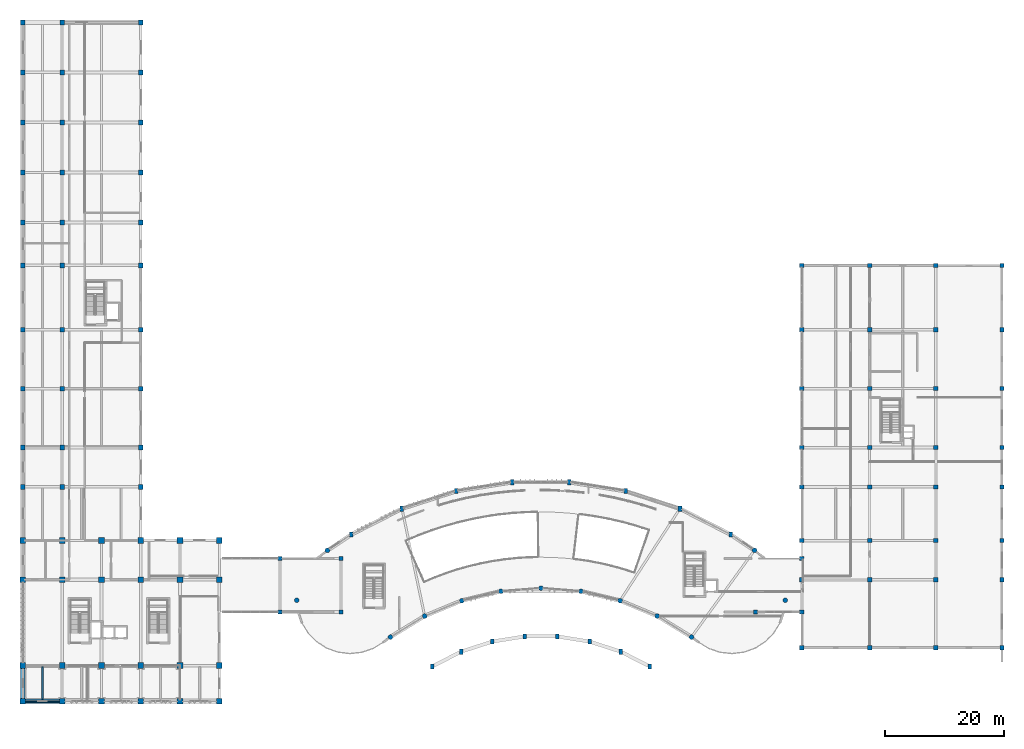
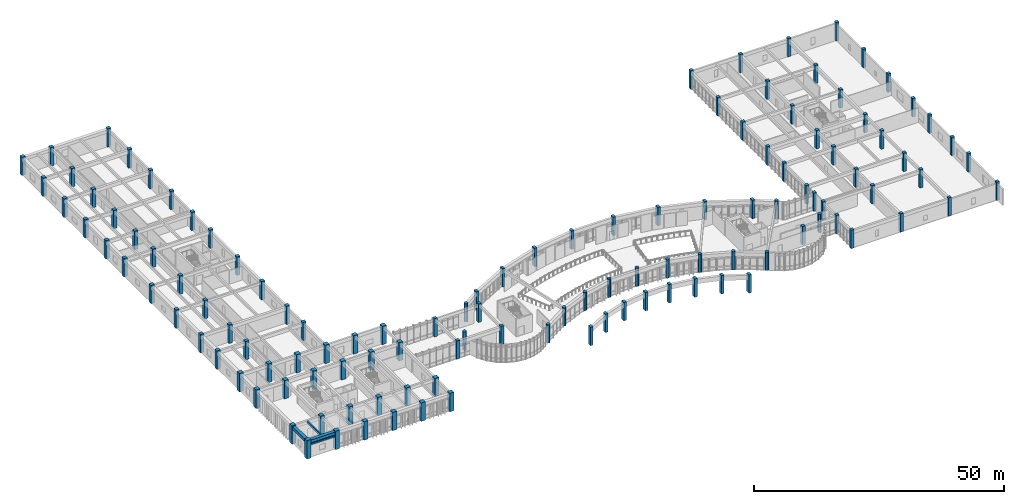
# One storey, part 1 of 57: 122 columns, 4 beams.
"""IFC4 building model written with IfcOpenShell, lengths in metres."""

import ifcopenshell
import ifcopenshell.guid

model = None  # the IFC model being written
_history = None  # IfcOwnerHistory: only IFC2X3 demands one
_inside = {}  # id of a spatial element -> (the spatial element, [elements in it])
_under = {}  # id of a project, library or spatial element -> (it, [spatial elements below it])
_declared = {}  # id of a project -> (the project, [libraries it declares])
_typed = {}  # id of a type object -> (the type object, [elements of that type])
_made_of = {}  # id of a material, layer set ... -> (it, [elements and type objects made of it])


def new_model(schema):
    """Start an empty IFC model of exactly this schema.

    Asked for "IFC4X3", IfcOpenShell would pick the latest addendum, in which some entities
    have other attributes; the version numbers below select the first issue.
    IFC2X3 requires an IfcOwnerHistory on every rooted entity: one is made here for all.
    """
    global model, _history
    if schema == "IFC4X3":
        model = ifcopenshell.file(schema_version=(4, 3, 0, 0))
    else:
        model = ifcopenshell.file(schema=schema)
    _inside.clear()
    _under.clear()
    _declared.clear()
    _typed.clear()
    _made_of.clear()
    _history = None
    if model.schema == "IFC2X3":
        org = make("IfcOrganization", Name="unknown")
        user = make(
            "IfcPersonAndOrganization",
            ThePerson=make("IfcPerson", FamilyName="unknown"),
            TheOrganization=org,
        )
        app = make(
            "IfcApplication",
            ApplicationDeveloper=org,
            Version="unknown",
            ApplicationFullName="unknown",
            ApplicationIdentifier="unknown",
        )
        _history = make(
            "IfcOwnerHistory",
            OwningUser=user,
            OwningApplication=app,
            ChangeAction="ADDED",
            CreationDate=0,
        )
    return model


def make(cls, **values):
    """One entity of the class cls with the attributes given. An attribute that is None is left unset."""
    return model.create_entity(
        cls, **{name: value for name, value in values.items() if value is not None}
    )


def rooted(cls, **values):
    """An entity with a GlobalId (a new one), such as an element, a storey or a relation."""
    return make(cls, GlobalId=ifcopenshell.guid.new(), OwnerHistory=_history, **values)


def si_unit(unit_type, name, prefix=None):
    """IfcSIUnit, for example si_unit("LENGTHUNIT", "METRE", prefix="MILLI")."""
    return make("IfcSIUnit", UnitType=unit_type, Prefix=prefix, Name=name)


def assignment(units):
    """IfcUnitAssignment: the units of a project."""
    return None if units is None else make("IfcUnitAssignment", Units=units)


def point(xyz):
    """IfcCartesianPoint."""
    return None if xyz is None else make("IfcCartesianPoint", Coordinates=xyz)


def direction(xyz):
    """IfcDirection."""
    return None if xyz is None else make("IfcDirection", DirectionRatios=xyz)


def frame(location, z_axis=None, x_axis=None):
    """IfcAxis2Placement3D, a coordinate frame: its origin and axes. An axis left out is left unset."""
    return make(
        "IfcAxis2Placement3D",
        Location=point(location),
        Axis=direction(z_axis),
        RefDirection=direction(x_axis),
    )


def frame_2d(location, x_axis=None):
    """IfcAxis2Placement2D, a coordinate frame in the plane: its origin and x axis."""
    return make(
        "IfcAxis2Placement2D", Location=point(location), RefDirection=direction(x_axis)
    )


def origin():
    """The frame at (0, 0, 0) with its axes left unset."""
    return frame((0.0, 0.0, 0.0))


def origin_2d():
    """The frame at (0, 0) in the plane with its x axis left unset."""
    return frame_2d((0.0, 0.0))


def place(relative_to, where):
    """IfcLocalPlacement: puts the frame where relative to a parent placement (None: the world)."""
    return make(
        "IfcLocalPlacement", PlacementRelTo=relative_to, RelativePlacement=where
    )


def context(
    kind, dimensions, precision=None, world=None, true_north=None, identifier=None
):
    """IfcGeometricRepresentationContext, for example the 3D "Model" context."""
    return make(
        "IfcGeometricRepresentationContext",
        ContextIdentifier=identifier,
        ContextType=kind,
        CoordinateSpaceDimension=dimensions,
        Precision=precision,
        WorldCoordinateSystem=world,
        TrueNorth=true_north,
    )


def subcontext(parent, identifier, kind, view, scale=None):
    """IfcGeometricRepresentationSubContext, for example "Body" below "Model"."""
    return make(
        "IfcGeometricRepresentationSubContext",
        ContextIdentifier=identifier,
        ContextType=kind,
        ParentContext=parent,
        TargetScale=scale,
        TargetView=view,
    )


def project(units=None, contexts=None):
    """IfcProject with its units and contexts."""
    return rooted(
        "IfcProject",
        Name="project",
        RepresentationContexts=contexts,
        UnitsInContext=assignment(units),
    )


def spatial(cls, under=None, at=None, **own):
    """A site, building, storey or space (cls), placed at a placement, below another one or the project."""
    s = rooted(cls, ObjectPlacement=at, **own)
    if under is not None:
        _under.setdefault(under.id(), (under, []))[1].append(s)
    return s


def profile(cls, at=None, kind="AREA", **sizes):
    """A parametric profile (cls). Its sizes go by their IFC names, for example OverallWidth=200.0."""
    return make(cls, ProfileType=kind, Position=at, **sizes)


def rectangle(**sizes):
    """IfcRectangleProfileDef."""
    return profile("IfcRectangleProfileDef", **sizes)


def circle(**sizes):
    """IfcCircleProfileDef."""
    return profile("IfcCircleProfileDef", **sizes)


def extrude(swept, where, along, depth):
    """IfcExtrudedAreaSolid: the profile swept, set in the frame where, extruded along a direction by depth."""
    return make(
        "IfcExtrudedAreaSolid",
        SweptArea=swept,
        Position=where,
        ExtrudedDirection=direction(along),
        Depth=depth,
    )


def shape(context_of_items, identifier, shape_type, items):
    """IfcShapeRepresentation: the items that make up one representation, for example the "Body"."""
    return make(
        "IfcShapeRepresentation",
        ContextOfItems=context_of_items,
        RepresentationIdentifier=identifier,
        RepresentationType=shape_type,
        Items=items,
    )


def material(Name=None, Category=None):
    """IfcMaterial."""
    return make("IfcMaterial", Name=Name, Category=Category)


def material_profile(
    of_material, cross_section, Name=None, Category=None, Priority=None
):
    """IfcMaterialProfile: a cross section and its material."""
    return make(
        "IfcMaterialProfile",
        Name=Name,
        Material=of_material,
        Profile=cross_section,
        Priority=Priority,
        Category=Category,
    )


def profile_set(profiles, Name=None, composite=None):
    """IfcMaterialProfileSet."""
    return make(
        "IfcMaterialProfileSet",
        Name=Name,
        MaterialProfiles=profiles,
        CompositeProfile=composite,
    )


def made_of(thing, what):
    """Note that an element or type object is made of a material, layer set ...; save() writes the relation."""
    if what is not None:
        _made_of.setdefault(what.id(), (what, []))[1].append(thing)
    return thing


def type_object(cls, material=None, **own):
    """A type object (cls), such as IfcWallType, which elements share."""
    return made_of(rooted(cls, **own), material)


def element(
    cls,
    number,
    at=None,
    inside=None,
    cuts=None,
    type_object=None,
    material=None,
    context=None,
    identifier="Body",
    shape_type=None,
    held_by="IfcProductDefinitionShape",
    body=None,
    shapes=None,
    **own,
):
    """One element of the class cls, such as IfcWall. Its Tag is "e" and its number.

    at: its placement. inside: the storey or other place that contains it. cuts: it is an
    opening in that element (IfcRelVoidsElement). A single representation is given by context,
    identifier, shape_type and body (its items); several are given by shapes. held_by: the class
    of the entity that holds the representations. save() writes the other relations.
    """
    e = rooted(cls, Tag="e%d" % number, ObjectPlacement=at, **own)
    if body is not None:
        shapes = [shape(context, identifier, shape_type, body)]
    if shapes is not None:
        e.Representation = make(held_by, Representations=shapes)
    if inside is not None:
        _inside.setdefault(inside.id(), (inside, []))[1].append(e)
    if cuts is not None:
        rooted(
            "IfcRelVoidsElement", RelatingBuildingElement=cuts, RelatedOpeningElement=e
        )
    if type_object is not None:
        _typed.setdefault(type_object.id(), (type_object, []))[1].append(e)
    return made_of(e, material)


def aggregate(whole, parts):
    """IfcRelAggregates: a whole, such as a stair, and the parts it consists of."""
    return rooted("IfcRelAggregates", RelatingObject=whole, RelatedObjects=parts)


def save(model, path):
    """Write the relations noted so far, then the file.

    IfcRelAggregates (storeys below a building ...), IfcRelContainedInSpatialStructure (elements
    in a storey), IfcRelDefinesByType, IfcRelAssociatesMaterial and IfcRelDeclares: one each for
    every whole, place, type object, material and project.
    """
    for whole, parts in _under.values():
        aggregate(whole, parts)
    for where, things in _inside.values():
        rooted(
            "IfcRelContainedInSpatialStructure",
            RelatedElements=things,
            RelatingStructure=where,
        )
    for kind, things in _typed.values():
        rooted("IfcRelDefinesByType", RelatedObjects=things, RelatingType=kind)
    for what, things in _made_of.values():
        rooted("IfcRelAssociatesMaterial", RelatedObjects=things, RelatingMaterial=what)
    for by, libraries in _declared.values():
        rooted("IfcRelDeclares", RelatingContext=by, RelatedDefinitions=libraries)
    model.write(path)


model = new_model("IFC4")

# Units and contexts
model_context = context("Model", 3, precision=1e-05, world=origin(), true_north=direction((0.0, 1.0)))
body_context = subcontext(model_context, "Body", "Model", "MODEL_VIEW")
ifc_project = project(units=[si_unit("LENGTHUNIT", "METRE"), si_unit("AREAUNIT", "SQUARE_METRE"), si_unit("VOLUMEUNIT", "CUBIC_METRE"), si_unit("PLANEANGLEUNIT", "RADIAN"), si_unit("MASSUNIT", "GRAM", prefix="KILO")], contexts=[model_context])

# Site, building, storey
site_placement = place(None, origin())
site = spatial("IfcSite", under=ifc_project, at=site_placement, CompositionType="ELEMENT")
building_placement = place(site_placement, origin())
building = spatial("IfcBuilding", under=site, at=building_placement, Name="Miralva Faculty of Natural Sciences", CompositionType="ELEMENT")
storey_placement = place(building_placement, frame((0.0, 0.0, 15.0)))
storey = spatial("IfcBuildingStorey", under=building, at=storey_placement, Name="L03", CompositionType="ELEMENT", Elevation=15.0)

# Columns
ifc_material_1 = material(Name="Concrete C50/60", Category="concrete")
ifc_material_profile_1 = material_profile(ifc_material_1, rectangle(XDim=0.949951171875, YDim=0.949951171875, at=origin_2d()), Name="RC 950x950")
ifc_profile_set_1 = profile_set([ifc_material_profile_1], Name="Concrete C50/60")
column_type_1 = type_object("IfcColumnType", Name="COL-C02", PredefinedType="COLUMN", material=ifc_profile_set_1)
for number, where, z_axis, x_axis, name in (
    (1, (3.0, 3.0, 0.0), (0.0, 0.0, 1.0), (1.0, 0.0, 0.0), "Column CS-V5-1A L03"),
    (2, (3.0, 9.0, 0.0), (0.0, 0.0, 1.0), (1.0, 0.0, 0.0), "Column CS-V5-1B L03"),
    (3, (3.0, 23.39990234375, 0.0), (0.0, 0.0, 1.0), (1.0, 0.0, 0.0), "Column CS-V5-1C L03"),
    (4, (3.0, 30.0, 0.0), (0.0, 0.0, 1.0), (1.0, 0.0, 0.0), "Column CS-V5-1D L03"),
    (5, (9.60009765625, 3.0, 0.0), (0.0, 0.0, 1.0), (1.0, 0.0, 0.0), "Column CS-V5-2A L03"),
    (6, (9.60009765625, 9.0, 0.0), (0.0, 0.0, 1.0), (1.0, 0.0, 0.0), "Column CS-V5-2B L03"),
    (7, (9.60009765625, 23.39990234375, 0.0), (0.0, 0.0, 1.0), (1.0, 0.0, 0.0), "Column CS-V5-2C L03"),
    (8, (9.60009765625, 30.0, 0.0), (0.0, 0.0, 1.0), (1.0, 0.0, 0.0), "Column CS-V5-2D L03"),
    (9, (16.199951171875, 3.0, 0.0), (0.0, 0.0, 1.0), (1.0, 0.0, 0.0), "Column CS-V5-3A L03"),
    (10, (16.199951171875, 9.0, 0.0), (0.0, 0.0, 1.0), (1.0, 0.0, 0.0), "Column CS-V5-3B L03"),
    (11, (16.199951171875, 23.39990234375, 0.0), (0.0, 0.0, 1.0), (1.0, 0.0, 0.0), "Column CS-V5-3C L03"),
    (12, (16.199951171875, 30.0, 0.0), (0.0, 0.0, 1.0), (1.0, 0.0, 0.0), "Column CS-V5-3D L03"),
    (13, (22.800048828125, 3.0, 0.0), (0.0, 0.0, 1.0), (1.0, 0.0, 0.0), "Column CS-V5-4A L03"),
    (14, (22.800048828125, 9.0, 0.0), (0.0, 0.0, 1.0), (1.0, 0.0, 0.0), "Column CS-V5-4B L03"),
    (15, (22.800048828125, 23.39990234375, 0.0), (0.0, 0.0, 1.0), (1.0, 0.0, 0.0), "Column CS-V5-4C L03"),
    (16, (22.800048828125, 30.0, 0.0), (0.0, 0.0, 1.0), (1.0, 0.0, 0.0), "Column CS-V5-4D L03"),
    (17, (29.39990234375, 3.0, 0.0), (0.0, 0.0, 1.0), (1.0, 0.0, 0.0), "Column CS-V5-5A L03"),
    (18, (29.39990234375, 9.0, 0.0), (0.0, 0.0, 1.0), (1.0, 0.0, 0.0), "Column CS-V5-5B L03"),
    (19, (29.39990234375, 23.39990234375, 0.0), (0.0, 0.0, 1.0), (1.0, 0.0, 0.0), "Column CS-V5-5C L03"),
    (20, (29.39990234375, 30.0, 0.0), (0.0, 0.0, 1.0), (1.0, 0.0, 0.0), "Column CS-V5-5D L03"),
    (21, (36.0, 3.0, 0.0), (0.0, 0.0, 1.0), (1.0, 0.0, 0.0), "Column CS-V5-6A L03"),
    (22, (36.0, 9.0, 0.0), (0.0, 0.0, 1.0), (1.0, 0.0, 0.0), "Column CS-V5-6B L03"),
    (23, (36.0, 23.39990234375, 0.0), (0.0, 0.0, 1.0), (1.0, 0.0, 0.0), "Column CS-V5-6C L03"),
    (24, (36.0, 30.0, 0.0), (0.0, 0.0, 1.0), (1.0, 0.0, 0.0), "Column CS-V5-6D L03"),
):
    element("IfcColumn", number, at=place(storey_placement, frame(where, z_axis=z_axis, x_axis=x_axis)), inside=storey, type_object=column_type_1, Name=name, PredefinedType="COLUMN", context=body_context, shape_type="SweptSolid", body=[
        extrude(rectangle(XDim=0.949951171875, YDim=0.949951171875, at=origin_2d()), origin(), (0.0, 0.0, 1.0), 4.5),
    ])
ifc_material_2 = material(Name="Concrete C40/50", Category="concrete")
ifc_material_profile_2 = material_profile(ifc_material_2, rectangle(XDim=0.800048828125, YDim=0.800048828125, at=origin_2d()), Name="RC 800x800")
ifc_profile_set_2 = profile_set([ifc_material_profile_2], Name="Concrete C40/50")
column_type_2 = type_object("IfcColumnType", Name="COL-C05", PredefinedType="COLUMN", material=ifc_profile_set_2)
for number, where, z_axis, x_axis, name in (
    (25, (3.0, 39.0, 0.0), (0.0, 0.0, 1.0), (1.0, 0.0, 0.0), "Column CS-V4W-1E L03"),
    (26, (3.0, 45.60009765625, 0.0), (0.0, 0.0, 1.0), (1.0, 0.0, 0.0), "Column CS-V4W-1F L03"),
    (27, (3.0, 55.5, 0.0), (0.0, 0.0, 1.0), (1.0, 0.0, 0.0), "Column CS-V4W-1G L03"),
    (28, (3.0, 65.39990234375, 0.0), (0.0, 0.0, 1.0), (1.0, 0.0, 0.0), "Column CS-V4W-1H L03"),
    (29, (3.0, 76.199951171875, 0.0), (0.0, 0.0, 1.0), (1.0, 0.0, 0.0), "Column CS-V4W-1I L03"),
    (30, (3.0, 83.39990234375, 0.0), (0.0, 0.0, 1.0), (1.0, 0.0, 0.0), "Column CS-V4W-1J L03"),
    (31, (3.0, 91.800048828125, 0.0), (0.0, 0.0, 1.0), (1.0, 0.0, 0.0), "Column CS-V4W-1K L03"),
    (32, (3.0, 100.199951171875, 0.0), (0.0, 0.0, 1.0), (1.0, 0.0, 0.0), "Column CS-V4W-1L L03"),
    (33, (3.0, 108.60009765625, 0.0), (0.0, 0.0, 1.0), (1.0, 0.0, 0.0), "Column CS-V4W-1M L03"),
    (34, (3.0, 117.0, 0.0), (0.0, 0.0, 1.0), (1.0, 0.0, 0.0), "Column CS-V4W-1N L03"),
    (35, (9.60009765625, 39.0, 0.0), (0.0, 0.0, 1.0), (1.0, 0.0, 0.0), "Column CS-V4W-2E L03"),
    (36, (9.60009765625, 45.60009765625, 0.0), (0.0, 0.0, 1.0), (1.0, 0.0, 0.0), "Column CS-V4W-2F L03"),
    (37, (9.60009765625, 55.5, 0.0), (0.0, 0.0, 1.0), (1.0, 0.0, 0.0), "Column CS-V4W-2G L03"),
    (38, (9.60009765625, 65.39990234375, 0.0), (0.0, 0.0, 1.0), (1.0, 0.0, 0.0), "Column CS-V4W-2H L03"),
    (39, (9.60009765625, 76.199951171875, 0.0), (0.0, 0.0, 1.0), (1.0, 0.0, 0.0), "Column CS-V4W-2I L03"),
    (40, (9.60009765625, 83.39990234375, 0.0), (0.0, 0.0, 1.0), (1.0, 0.0, 0.0), "Column CS-V4W-2J L03"),
    (41, (9.60009765625, 91.800048828125, 0.0), (0.0, 0.0, 1.0), (1.0, 0.0, 0.0), "Column CS-V4W-2K L03"),
    (42, (9.60009765625, 100.199951171875, 0.0), (0.0, 0.0, 1.0), (1.0, 0.0, 0.0), "Column CS-V4W-2L L03"),
    (43, (9.60009765625, 108.60009765625, 0.0), (0.0, 0.0, 1.0), (1.0, 0.0, 0.0), "Column CS-V4W-2M L03"),
    (44, (9.60009765625, 117.0, 0.0), (0.0, 0.0, 1.0), (1.0, 0.0, 0.0), "Column CS-V4W-2N L03"),
    (45, (22.800048828125, 39.0, 0.0), (0.0, 0.0, 1.0), (1.0, 0.0, 0.0), "Column CS-V4W-4E L03"),
    (46, (22.800048828125, 45.60009765625, 0.0), (0.0, 0.0, 1.0), (1.0, 0.0, 0.0), "Column CS-V4W-4F L03"),
    (47, (22.800048828125, 55.5, 0.0), (0.0, 0.0, 1.0), (1.0, 0.0, 0.0), "Column CS-V4W-4G L03"),
    (48, (22.800048828125, 65.39990234375, 0.0), (0.0, 0.0, 1.0), (1.0, 0.0, 0.0), "Column CS-V4W-4H L03"),
    (49, (22.800048828125, 76.199951171875, 0.0), (0.0, 0.0, 1.0), (1.0, 0.0, 0.0), "Column CS-V4W-4I L03"),
    (50, (22.800048828125, 83.39990234375, 0.0), (0.0, 0.0, 1.0), (1.0, 0.0, 0.0), "Column CS-V4W-4J L03"),
    (51, (22.800048828125, 91.800048828125, 0.0), (0.0, 0.0, 1.0), (1.0, 0.0, 0.0), "Column CS-V4W-4K L03"),
    (52, (22.800048828125, 100.199951171875, 0.0), (0.0, 0.0, 1.0), (1.0, 0.0, 0.0), "Column CS-V4W-4L L03"),
    (53, (22.800048828125, 108.60009765625, 0.0), (0.0, 0.0, 1.0), (1.0, 0.0, 0.0), "Column CS-V4W-4M L03"),
    (54, (22.800048828125, 117.0, 0.0), (0.0, 0.0, 1.0), (1.0, 0.0, 0.0), "Column CS-V4W-4N L03"),
):
    element("IfcColumn", number, at=place(storey_placement, frame(where, z_axis=z_axis, x_axis=x_axis)), inside=storey, type_object=column_type_2, Name=name, PredefinedType="COLUMN", context=body_context, shape_type="SweptSolid", body=[
        extrude(rectangle(XDim=0.800048828125, YDim=0.800048828125, at=origin_2d()), origin(), (0.0, 0.0, 1.0), 4.5),
    ])
ifc_material_profile_3 = material_profile(ifc_material_2, rectangle(XDim=0.699951171875, YDim=0.699951171875, at=origin_2d()), Name="RC 700x700")
ifc_profile_set_3 = profile_set([ifc_material_profile_3], Name="Concrete C40/50")
column_type_3 = type_object("IfcColumnType", Name="COL-C07", PredefinedType="COLUMN", material=ifc_profile_set_3)
for number, where, z_axis, x_axis, name in (
    (55, (133.800048828125, 18.0, 0.0), (0.0, 0.0, 1.0), (1.0, 0.0, 0.0), "Column CS-LNK-EL2S L03"),
    (56, (133.800048828125, 27.0, 0.0), (0.0, 0.0, 1.0), (1.0, 0.0, 0.0), "Column CS-LNK-EL2N L03"),
    (57, (133.800048828125, 12.0, 0.0), (0.0, 0.0, 1.0), (1.0, 0.0, 0.0), "Column CS-V2C-16B12 L03"),
    (58, (133.800048828125, 23.39990234375, 0.0), (0.0, 0.0, 1.0), (1.0, 0.0, 0.0), "Column CS-V2C-16C L03"),
    (59, (133.800048828125, 30.0, 0.0), (0.0, 0.0, 1.0), (1.0, 0.0, 0.0), "Column CS-V2C-16D L03"),
    (60, (133.800048828125, 39.0, 0.0), (0.0, 0.0, 1.0), (1.0, 0.0, 0.0), "Column CS-V2C-16E L03"),
    (61, (133.800048828125, 45.60009765625, 0.0), (0.0, 0.0, 1.0), (1.0, 0.0, 0.0), "Column CS-V2C-16F L03"),
    (62, (133.800048828125, 55.5, 0.0), (0.0, 0.0, 1.0), (1.0, 0.0, 0.0), "Column CS-V2C-16G L03"),
    (63, (133.800048828125, 65.39990234375, 0.0), (0.0, 0.0, 1.0), (1.0, 0.0, 0.0), "Column CS-V2C-16H L03"),
    (64, (133.800048828125, 76.199951171875, 0.0), (0.0, 0.0, 1.0), (1.0, 0.0, 0.0), "Column CS-V2C-16I L03"),
    (65, (145.199951171875, 12.0, 0.0), (0.0, 0.0, 1.0), (1.0, 0.0, 0.0), "Column CS-V2C-17B12 L03"),
    (66, (145.199951171875, 23.39990234375, 0.0), (0.0, 0.0, 1.0), (1.0, 0.0, 0.0), "Column CS-V2C-17C L03"),
    (67, (145.199951171875, 30.0, 0.0), (0.0, 0.0, 1.0), (1.0, 0.0, 0.0), "Column CS-V2C-17D L03"),
    (68, (145.199951171875, 39.0, 0.0), (0.0, 0.0, 1.0), (1.0, 0.0, 0.0), "Column CS-V2C-17E L03"),
    (69, (145.199951171875, 45.60009765625, 0.0), (0.0, 0.0, 1.0), (1.0, 0.0, 0.0), "Column CS-V2C-17F L03"),
    (70, (145.199951171875, 55.5, 0.0), (0.0, 0.0, 1.0), (1.0, 0.0, 0.0), "Column CS-V2C-17G L03"),
    (71, (145.199951171875, 65.39990234375, 0.0), (0.0, 0.0, 1.0), (1.0, 0.0, 0.0), "Column CS-V2C-17H L03"),
    (72, (145.199951171875, 76.199951171875, 0.0), (0.0, 0.0, 1.0), (1.0, 0.0, 0.0), "Column CS-V2C-17I L03"),
    (73, (156.300048828125, 12.0, 0.0), (0.0, 0.0, 1.0), (1.0, 0.0, 0.0), "Column CS-V2C-18B12 L03"),
    (74, (156.300048828125, 23.39990234375, 0.0), (0.0, 0.0, 1.0), (1.0, 0.0, 0.0), "Column CS-V2C-18C L03"),
    (75, (156.300048828125, 30.0, 0.0), (0.0, 0.0, 1.0), (1.0, 0.0, 0.0), "Column CS-V2C-18D L03"),
    (76, (156.300048828125, 39.0, 0.0), (0.0, 0.0, 1.0), (1.0, 0.0, 0.0), "Column CS-V2C-18E L03"),
    (77, (156.300048828125, 45.60009765625, 0.0), (0.0, 0.0, 1.0), (1.0, 0.0, 0.0), "Column CS-V2C-18F L03"),
    (78, (156.300048828125, 55.5, 0.0), (0.0, 0.0, 1.0), (1.0, 0.0, 0.0), "Column CS-V2C-18G L03"),
    (79, (156.300048828125, 65.39990234375, 0.0), (0.0, 0.0, 1.0), (1.0, 0.0, 0.0), "Column CS-V2C-18H L03"),
    (80, (156.300048828125, 76.199951171875, 0.0), (0.0, 0.0, 1.0), (1.0, 0.0, 0.0), "Column CS-V2C-18I L03"),
    (81, (167.39990234375, 12.0, 0.0), (0.0, 0.0, 1.0), (1.0, 0.0, 0.0), "Column CS-V2C-19B12 L03"),
    (82, (167.39990234375, 23.39990234375, 0.0), (0.0, 0.0, 1.0), (1.0, 0.0, 0.0), "Column CS-V2C-19C L03"),
    (83, (167.39990234375, 30.0, 0.0), (0.0, 0.0, 1.0), (1.0, 0.0, 0.0), "Column CS-V2C-19D L03"),
    (84, (167.39990234375, 39.0, 0.0), (0.0, 0.0, 1.0), (1.0, 0.0, 0.0), "Column CS-V2C-19E L03"),
    (85, (167.39990234375, 45.60009765625, 0.0), (0.0, 0.0, 1.0), (1.0, 0.0, 0.0), "Column CS-V2C-19F L03"),
    (86, (167.39990234375, 55.5, 0.0), (0.0, 0.0, 1.0), (1.0, 0.0, 0.0), "Column CS-V2C-19G L03"),
    (87, (167.39990234375, 65.39990234375, 0.0), (0.0, 0.0, 1.0), (1.0, 0.0, 0.0), "Column CS-V2C-19H L03"),
    (88, (167.39990234375, 76.199951171875, 0.0), (0.0, 0.0, 1.0), (1.0, 0.0, 0.0), "Column CS-V2C-19I L03"),
    (89, (46.199951171875, 18.0, 0.0), (0.0, 0.0, 1.0), (1.0, 0.0, 0.0), "Column CS-LNK-WL1S L03"),
    (90, (46.199951171875, 27.0, 0.0), (0.0, 0.0, 1.0), (1.0, 0.0, 0.0), "Column CS-LNK-WL1N L03"),
    (91, (56.39990234375, 18.0, 0.0), (0.0, 0.0, 1.0), (1.0, 0.0, 0.0), "Column CS-LNK-WL2S L03"),
    (92, (56.39990234375, 27.0, 0.0), (0.0, 0.0, 1.0), (1.0, 0.0, 0.0), "Column CS-LNK-WL2N L03"),
    (93, (126.0, 18.0, 0.0), (0.0, 0.0, 1.0), (1.0, 0.0, 0.0), "Column CS-LNK-EL1S L03"),
):
    element("IfcColumn", number, at=place(storey_placement, frame(where, z_axis=z_axis, x_axis=x_axis)), inside=storey, type_object=column_type_3, Name=name, PredefinedType="COLUMN", context=body_context, shape_type="SweptSolid", body=[
        extrude(rectangle(XDim=0.699951171875, YDim=0.699951171875, at=origin_2d()), origin(), (0.0, 0.0, 1.0), 4.5),
    ])
ifc_material_profile_4 = material_profile(ifc_material_1, rectangle(XDim=0.60009765625, YDim=0.89990234375, at=origin_2d()), Name="RC 600x900")
ifc_profile_set_4 = profile_set([ifc_material_profile_4], Name="Concrete C50/60")
column_type_4 = type_object("IfcColumnType", Name="COL-C11", PredefinedType="COLUMN", material=ifc_profile_set_4)
for number, where, z_axis, x_axis, name in (
    (94, (71.712646484375, 8.84228515625, 0.0), (0.0, 0.0, 1.0), (1.0, 0.0, 0.0), "Column CS-SH-IN01 L03"),
    (95, (58.127685546875, 31.010986328125, 0.0), (0.0, 0.0, 1.0), (1.0, 0.0, 0.0), "Column CS-SH-OUT01 L03"),
    (96, (76.606201171875, 11.335693359375, 0.0), (0.0, 0.0, 1.0), (1.0, 0.0, 0.0), "Column CS-SH-IN02 L03"),
    (97, (66.65625, 35.356689453125, 0.0), (0.0, 0.0, 1.0), (1.0, 0.0, 0.0), "Column CS-SH-OUT02 L03"),
    (98, (81.829345703125, 13.032958984375, 0.0), (0.0, 0.0, 1.0), (1.0, 0.0, 0.0), "Column CS-SH-IN03 L03"),
    (99, (75.759765625, 38.314697265625, 0.0), (0.0, 0.0, 1.0), (1.0, 0.0, 0.0), "Column CS-SH-OUT03 L03"),
    (100, (87.25390625, 13.89208984375, 0.0), (0.0, 0.0, 1.0), (1.0, 0.0, 0.0), "Column CS-SH-IN04 L03"),
    (101, (85.214111328125, 39.81201171875, 0.0), (0.0, 0.0, 1.0), (1.0, 0.0, 0.0), "Column CS-SH-OUT04 L03"),
    (102, (92.74609375, 13.89208984375, 0.0), (0.0, 0.0, 1.0), (1.0, 0.0, 0.0), "Column CS-SH-IN05 L03"),
    (103, (94.785888671875, 39.81201171875, 0.0), (0.0, 0.0, 1.0), (1.0, 0.0, 0.0), "Column CS-SH-OUT05 L03"),
    (104, (98.170654296875, 13.032958984375, 0.0), (0.0, 0.0, 1.0), (1.0, 0.0, 0.0), "Column CS-SH-IN06 L03"),
    (105, (104.240234375, 38.314697265625, 0.0), (0.0, 0.0, 1.0), (1.0, 0.0, 0.0), "Column CS-SH-OUT06 L03"),
    (106, (103.393798828125, 11.335693359375, 0.0), (0.0, 0.0, 1.0), (1.0, 0.0, 0.0), "Column CS-SH-IN07 L03"),
    (107, (113.34375, 35.356689453125, 0.0), (0.0, 0.0, 1.0), (1.0, 0.0, 0.0), "Column CS-SH-OUT07 L03"),
    (108, (108.287353515625, 8.84228515625, 0.0), (0.0, 0.0, 1.0), (1.0, 0.0, 0.0), "Column CS-SH-IN08 L03"),
    (109, (121.872314453125, 31.010986328125, 0.0), (0.0, 0.0, 1.0), (1.0, 0.0, 0.0), "Column CS-SH-OUT08 L03"),
):
    element("IfcColumn", number, at=place(storey_placement, frame(where, z_axis=z_axis, x_axis=x_axis)), inside=storey, type_object=column_type_4, Name=name, PredefinedType="COLUMN", context=body_context, shape_type="SweptSolid", body=[
        extrude(rectangle(XDim=0.60009765625, YDim=0.89990234375, at=origin_2d()), origin(), (0.0, 0.0, 1.0), 4.5),
    ])
ifc_material_profile_5 = material_profile(ifc_material_2, circle(Radius=0.39990234375, at=origin_2d()), Name="RC DIA 800")
ifc_profile_set_5 = profile_set([ifc_material_profile_5], Name="Concrete C40/50")
column_type_5 = type_object("IfcColumnType", Name="COL-C14", PredefinedType="COLUMN", material=ifc_profile_set_5)
for number, where, z_axis, x_axis, name in (
    (110, (64.72509765625, 13.78759765625, 0.0), (0.0, 0.0, 1.0), (1.0, 0.0, 0.0), "Column CS-ARC-IN01 L03"),
    (111, (54.14501953125, 28.35009765625, 0.0), (0.0, 0.0, 1.0), (1.0, 0.0, 0.0), "Column CS-ARC-OUT01 L03"),
    (112, (70.478515625, 17.313232421875, 0.0), (0.0, 0.0, 1.0), (1.0, 0.0, 0.0), "Column CS-ARC-IN02 L03"),
    (113, (76.71240234375, 19.8955078125, 0.0), (0.0, 0.0, 1.0), (1.0, 0.0, 0.0), "Column CS-ARC-IN03 L03"),
    (114, (83.273193359375, 21.470703125, 0.0), (0.0, 0.0, 1.0), (1.0, 0.0, 0.0), "Column CS-ARC-IN04 L03"),
    (115, (90.0, 22.0, 0.0), (0.0, 0.0, 1.0), (1.0, 0.0, 0.0), "Column CS-ARC-IN05 L03"),
    (116, (96.726806640625, 21.470703125, 0.0), (0.0, 0.0, 1.0), (1.0, 0.0, 0.0), "Column CS-ARC-IN06 L03"),
    (117, (103.28759765625, 19.8955078125, 0.0), (0.0, 0.0, 1.0), (1.0, 0.0, 0.0), "Column CS-ARC-IN07 L03"),
    (118, (109.521484375, 17.313232421875, 0.0), (0.0, 0.0, 1.0), (1.0, 0.0, 0.0), "Column CS-ARC-IN08 L03"),
    (119, (115.27490234375, 13.78759765625, 0.0), (0.0, 0.0, 1.0), (1.0, 0.0, 0.0), "Column CS-ARC-IN09 L03"),
    (120, (125.85498046875, 28.35009765625, 0.0), (0.0, 0.0, 1.0), (1.0, 0.0, 0.0), "Column CS-ARC-OUT09 L03"),
    (121, (48.985595703125, 19.9765625, 0.0), (0.0, 0.0, 1.0), (1.0, 0.0, 0.0), "Column CS-RND-W01 L03"),
    (122, (131.014404296875, 19.9765625, 0.0), (0.0, 0.0, 1.0), (1.0, 0.0, 0.0), "Column CS-RND-E01 L03"),
):
    element("IfcColumn", number, at=place(storey_placement, frame(where, z_axis=z_axis, x_axis=x_axis)), inside=storey, type_object=column_type_5, Name=name, PredefinedType="COLUMN", context=body_context, shape_type="SweptSolid", body=[
        extrude(circle(Radius=0.39990234375, at=origin_2d()), origin(), (0.0, 0.0, 1.0), 4.5),
    ])

# Beams
ifc_material_profile_6 = material_profile(ifc_material_2, rectangle(XDim=0.300048828125, YDim=0.60009765625, at=origin_2d()), Name="RC 300x600")
ifc_profile_set_6 = profile_set([ifc_material_profile_6], Name="Concrete C40/50")
beam_type_1 = type_object("IfcBeamType", Name="BM-J01", PredefinedType="JOIST", material=ifc_profile_set_6)
beam_1_placement = place(storey_placement, frame((6.300048828125, 3.375, 3.97998046875), z_axis=(0.0, 1.0, 0.0), x_axis=(-1.0, 0.0, 0.0)))
element("IfcBeam", 123, at=beam_1_placement, inside=storey, type_object=beam_type_1, Name="Floor joist L03-1", PredefinedType="JOIST", context=body_context, shape_type="SweptSolid", body=[
    extrude(rectangle(XDim=0.300048828125, YDim=0.60009765625, at=origin_2d()), origin(), (0.0, 0.0, 1.0), 5.425048828125),
])
ifc_material_3 = material(Name="Precast concrete C40/50", Category="concrete")
ifc_material_profile_7 = material_profile(ifc_material_3, rectangle(XDim=0.25, YDim=0.35009765625, at=origin_2d()), Name="RC 250x350")
ifc_profile_set_7 = profile_set([ifc_material_profile_7], Name="Precast concrete C40/50")
beam_type_2 = type_object("IfcBeamType", Name="BM-LN01", PredefinedType="LINTEL", material=ifc_profile_set_7)
beam_2_placement = place(storey_placement, frame((3.451171875, 3.0, 3.050048828125), z_axis=(1.0, 0.0, 0.0), x_axis=(0.0, 1.0, 0.0)))
element("IfcBeam", 124, at=beam_2_placement, inside=storey, type_object=beam_type_2, Name="Precast stone window lintel S L03", PredefinedType="LINTEL", context=body_context, shape_type="SweptSolid", body=[
    extrude(rectangle(XDim=0.25, YDim=0.35009765625, at=origin_2d()), origin(), (0.0, 0.0, 1.0), 5.697509765625),
])
ifc_material_profile_8 = material_profile(ifc_material_2, rectangle(XDim=0.75, YDim=0.699951171875, at=origin_2d()), Name="RC 750x700")
ifc_profile_set_8 = profile_set([ifc_material_profile_8], Name="Concrete C40/50")
beam_type_3 = type_object("IfcBeamType", Name="BM-SP01", PredefinedType="SPANDREL", material=ifc_profile_set_8)
beam_3_placement = place(storey_placement, frame((3.47509765625, 3.0, 3.929931640625), z_axis=(1.0, 0.0, 0.0), x_axis=(0.0, 1.0, 0.0)))
element("IfcBeam", 125, at=beam_3_placement, inside=storey, type_object=beam_type_3, Name="Girder EW L03-1", PredefinedType="SPANDREL", context=body_context, shape_type="SweptSolid", body=[
    extrude(rectangle(XDim=0.75, YDim=0.699951171875, at=origin_2d()), origin(), (0.0, 0.0, 1.0), 5.64990234375),
])
beam_4_placement = place(storey_placement, frame((3.0, 3.47509765625, 3.929931640625), z_axis=(0.0, 1.0, 0.0), x_axis=(-1.0, 0.0, 0.0)))
element("IfcBeam", 126, at=beam_4_placement, inside=storey, type_object=beam_type_3, Name="Girder NS L03-62", PredefinedType="SPANDREL", context=body_context, shape_type="SweptSolid", body=[
    extrude(rectangle(XDim=0.75, YDim=0.699951171875, at=origin_2d()), origin(), (0.0, 0.0, 1.0), 5.0498046875),
])

save(model, "model.ifc")
